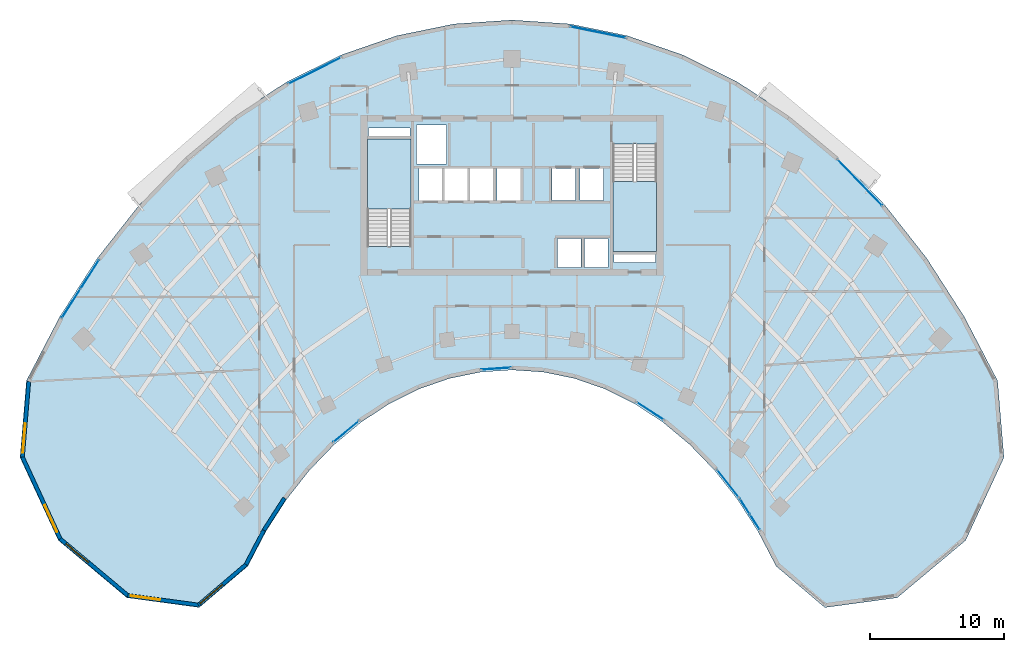
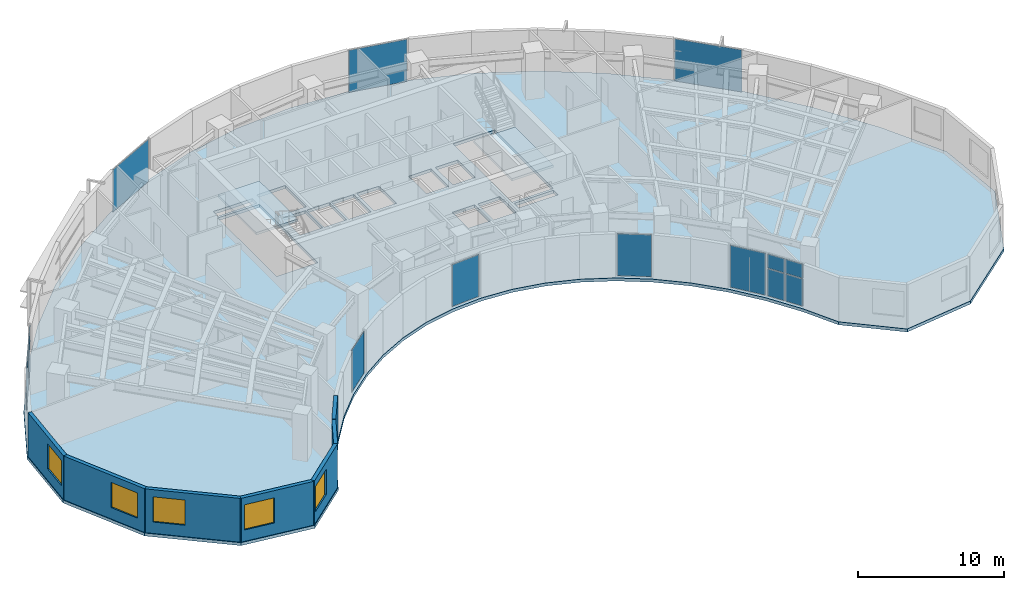
# One storey, part 7 of 14: 15 plates, 7 walls, 5 windows, 3 slabs, 5 openings, 11 elements without a shape of their own.
"""IFC4 building model written with IfcOpenShell, lengths in metres."""

from ifc_helpers import new_model, si_unit, direction, frame, frame_2d, origin, origin_2d, place, context, subcontext, project, spatial, polyline, rectangle, outline, extrude, source, transform, mapped, material, layer, layer_set, type_object, type_shapes, element, fill, aggregate, save


model = new_model("IFC4")

# Units and contexts
model_context = context("Model", 3, precision=1e-05, world=origin(), true_north=direction((0.0, 1.0)))
body_context = subcontext(model_context, "Body", "Model", "MODEL_VIEW")
ifc_project = project(units=[si_unit("LENGTHUNIT", "METRE"), si_unit("AREAUNIT", "SQUARE_METRE"), si_unit("VOLUMEUNIT", "CUBIC_METRE"), si_unit("PLANEANGLEUNIT", "RADIAN"), si_unit("MASSUNIT", "GRAM", prefix="KILO")], contexts=[model_context])

# Site, building, storey
site_placement = place(None, origin())
site = spatial("IfcSite", under=ifc_project, at=site_placement, CompositionType="ELEMENT")
building_placement = place(site_placement, origin())
building = spatial("IfcBuilding", under=site, at=building_placement, Name="Breltana Convention Tower", CompositionType="ELEMENT")
storey_placement = place(building_placement, frame((0.0, 0.0, 103.800048828125)))
storey = spatial("IfcBuildingStorey", under=building, at=storey_placement, Name="L24", CompositionType="ELEMENT", Elevation=103.800048828125)

# Slab
ifc_material_1 = material(Name="Concrete C40/50", Category="concrete")
ifc_layer_1 = layer(ifc_material_1, 0.25, Name="Concrete C40/50")
ifc_layer_set_1 = layer_set([ifc_layer_1], Name="Concrete C40/50")
slab_type_1 = type_object("IfcSlabType", Name="SL-OFF-250", PredefinedType="FLOOR", material=ifc_layer_set_1)
slab_1_placement = place(storey_placement, frame((0.0, 0.0, -0.25)))
element("IfcSlab", 1, at=slab_1_placement, inside=storey, type_object=slab_type_1, Name="L24 Suspended Structural Floor Slab", PredefinedType="FLOOR", context=body_context, shape_type="SweptSolid", body=[
    extrude(outline(polyline([(84.254150390625, 52.3564453125), (81.779052734375, 57.1103515625), (78.958251953125, 61.5048828125), (75.820556640625, 65.494873046875), (72.39794921875, 69.03955078125), (68.7255859375, 72.1025390625), (64.841064453125, 74.652587890625), (60.783935546875, 76.663818359375), (56.59619140625, 78.114990234375), (52.3203125, 78.99169921875), (48.0, 79.284912109375), (43.6796875, 78.99169921875), (39.40380859375, 78.114990234375), (35.216064453125, 76.663818359375), (31.158935546875, 74.652587890625), (27.2744140625, 72.1025390625), (23.60205078125, 69.03955078125), (20.179443359375, 65.494873046875), (17.041748046875, 61.5048828125), (14.220947265625, 57.1103515625), (11.745849609375, 52.3564453125), (11.266357421875, 46.619384765625), (14.128173828125, 40.42919921875), (19.23828125, 36.150146484375), (24.64501953125, 35.4169921875), (28.282958984375, 38.509521484375), (29.62890625, 41.09521484375), (31.1630859375, 43.485107421875), (32.869384765625, 45.655029296875), (34.73095703125, 47.5830078125), (36.728271484375, 49.248779296875), (38.8408203125, 50.6357421875), (41.04736328125, 51.7294921875), (43.324951171875, 52.518798828125), (45.650390625, 52.99560546875), (48.0, 53.155029296875), (50.349609375, 52.99560546875), (52.675048828125, 52.518798828125), (54.95263671875, 51.7294921875), (57.1591796875, 50.6357421875), (59.271728515625, 49.248779296875), (61.26904296875, 47.5830078125), (63.130615234375, 45.655029296875), (64.8369140625, 43.485107421875), (66.37109375, 41.09521484375), (67.717041015625, 38.509521484375), (71.35498046875, 35.4169921875), (76.76171875, 36.150146484375), (81.871826171875, 40.42919921875), (84.733642578125, 46.619384765625), (84.254150390625, 52.3564453125)]), holes=[polyline([(37.199951171875, 62.385009765625), (40.469970703125, 62.385009765625), (40.469970703125, 70.39990234375), (37.199951171875, 70.39990234375), (37.199951171875, 62.385009765625)]), polyline([(55.530029296875, 62.0), (58.800048828125, 62.0), (58.800048828125, 70.014892578125), (55.530029296875, 70.014892578125), (55.530029296875, 62.0)]), polyline([(51.39990234375, 60.800048828125), (53.159912109375, 60.800048828125), (53.159912109375, 62.97998046875), (51.39990234375, 62.97998046875), (51.39990234375, 60.800048828125)]), polyline([(53.39990234375, 60.800048828125), (55.159912109375, 60.800048828125), (55.159912109375, 62.97998046875), (53.39990234375, 62.97998046875), (53.39990234375, 60.800048828125)]), polyline([(41.0400390625, 65.820068359375), (42.800048828125, 65.820068359375), (42.800048828125, 68.179931640625), (41.0400390625, 68.179931640625), (41.0400390625, 65.820068359375)]), polyline([(42.93994140625, 65.820068359375), (44.699951171875, 65.820068359375), (44.699951171875, 68.179931640625), (42.93994140625, 68.179931640625), (42.93994140625, 65.820068359375)]), polyline([(44.8701171875, 65.820068359375), (46.6298828125, 65.820068359375), (46.6298828125, 68.179931640625), (44.8701171875, 68.179931640625), (44.8701171875, 65.820068359375)]), polyline([(46.8701171875, 65.820068359375), (48.6298828125, 65.820068359375), (48.6298828125, 68.179931640625), (46.8701171875, 68.179931640625), (46.8701171875, 65.820068359375)]), polyline([(50.969970703125, 65.800048828125), (52.72998046875, 65.800048828125), (52.72998046875, 68.179931640625), (50.969970703125, 68.179931640625), (50.969970703125, 65.800048828125)]), polyline([(53.070068359375, 65.800048828125), (54.830078125, 65.800048828125), (54.830078125, 68.179931640625), (53.070068359375, 68.179931640625), (53.070068359375, 65.800048828125)]), polyline([(40.8798828125, 68.550048828125), (43.1201171875, 68.550048828125), (43.1201171875, 71.449951171875), (40.8798828125, 71.449951171875), (40.8798828125, 68.550048828125)]), polyline([(37.300048828125, 70.60009765625), (40.3798828125, 70.60009765625), (40.3798828125, 71.219970703125), (37.300048828125, 71.219970703125), (37.300048828125, 70.60009765625)]), polyline([(55.6201171875, 61.179931640625), (58.699951171875, 61.179931640625), (58.699951171875, 61.800048828125), (55.6201171875, 61.800048828125), (55.6201171875, 61.179931640625)])]), origin(), (0.0, 0.0, 1.0), 0.25),
])

# Stair, slab
stair_type = type_object("IfcStairType", Name="ST-DOG-1560-R177", PredefinedType="HALF_TURN_STAIR", material=ifc_material_1)
stair_1_placement = place(storey_placement, origin())
stair_1 = element("IfcStair", 2, at=stair_1_placement, inside=storey, type_object=stair_type, Name="L24 Protected Core Exit Stair ST-1", PredefinedType="HALF_TURN_STAIR")
ifc_layer_2 = layer(ifc_material_1, 0.199951171875, Name="Concrete C40/50")
ifc_layer_set_2 = layer_set([ifc_layer_2], Name="Concrete C40/50")
slab_type_2 = type_object("IfcSlabType", Name="SL-STAIR-LANDING-200", PredefinedType="LANDING", material=ifc_layer_set_2)
slab_2_placement = place(storey_placement, frame((0.0, 0.0, 1.75)))
slab_2 = element("IfcSlab", 3, at=slab_2_placement, type_object=slab_type_2, Name="ST-1 landing 1", PredefinedType="LANDING", context=body_context, shape_type="SweptSolid", body=[
    extrude(outline(polyline([(40.469970703125, 65.159912109375), (40.469970703125, 70.39990234375), (37.199951171875, 70.39990234375), (37.199951171875, 65.159912109375), (40.469970703125, 65.159912109375)])), origin(), (0.0, 0.0, 1.0), 0.199951171875),
])
aggregate(stair_1, [slab_2])

stair_2_placement = place(storey_placement, origin())
stair_2 = element("IfcStair", 4, at=stair_2_placement, inside=storey, type_object=stair_type, Name="L24 Protected Core Exit Stair ST-2", PredefinedType="HALF_TURN_STAIR")
slab_3_placement = place(storey_placement, frame((0.0, 0.0, 1.75)))
slab_3 = element("IfcSlab", 5, at=slab_3_placement, type_object=slab_type_2, Name="ST-2 landing 1", PredefinedType="LANDING", context=body_context, shape_type="SweptSolid", body=[
    extrude(outline(polyline([(55.530029296875, 67.239990234375), (55.530029296875, 62.0), (58.800048828125, 62.0), (58.800048828125, 67.239990234375), (55.530029296875, 67.239990234375)])), origin(), (0.0, 0.0, 1.0), 0.199951171875),
])
aggregate(stair_2, [slab_3])

# Curtain wall, plates
ifc_material_2 = material(Name="Aluminium Anodised Bronze Frame", Category="aluminium")
ifc_layer_3 = layer(ifc_material_2, 0.18994140625, Name="Aluminium Anodised Bronze Frame")
ifc_layer_set_3 = layer_set([ifc_layer_3], Name="Aluminium Anodised Bronze Frame")
curtain_wall_type_1 = type_object("IfcCurtainWallType", Name="CW-SYS-1", PredefinedType="NOTDEFINED", material=ifc_layer_set_3)
curtain_wall_1_placement = place(storey_placement, origin())
curtain_wall_1 = element("IfcCurtainWall", 6, at=curtain_wall_1_placement, inside=storey, type_object=curtain_wall_type_1, Name="L24 inner south-court glazing 1", PredefinedType="NOTDEFINED")
ifc_material_3 = material(Name="Glass Low-E Double Glazing", Category="glass")
ifc_layer_4 = layer(ifc_material_3, 0.028076171875, Name="Glass Low-E Double Glazing")
ifc_layer_set_4 = layer_set([ifc_layer_4], Name="Glass Low-E Double Glazing")
plate_type_1 = type_object("IfcPlateType", Name="CWP-IGU-28", PredefinedType="CURTAIN_PANEL", material=ifc_layer_set_4)
shared_shape_1 = source(origin(), body_context, "Body", "SweptSolid", [
    extrude(rectangle(XDim=1.300048828125, YDim=0.028076171875, at=origin_2d()), origin(), (0.0, 0.0, 1.0), 2.25244140625),
])
plate_1_placement = place(storey_placement, frame((66.128173828125, 41.806640625, 0.080078125), z_axis=(0.0, 0.0, 1.0), x_axis=(-0.5401773017, 0.841551235949, 0.0)))
plate_1 = element("IfcPlate", 7, at=plate_1_placement, type_object=plate_type_1, Name="CW-01 panel 1.1", PredefinedType="CURTAIN_PANEL", context=body_context, shape_type="MappedRepresentation", body=[
    mapped(shared_shape_1, transform((0.0, 0.0, 0.0), scale=1.0)),
])
plate_2_placement = place(storey_placement, frame((65.3828125, 42.968017578125, 0.080078125), z_axis=(0.0, 0.0, 1.0), x_axis=(-0.5401773017, 0.841551235949, 0.0)))
plate_2 = element("IfcPlate", 8, at=plate_2_placement, type_object=plate_type_1, Name="CW-01 panel 2.1", PredefinedType="CURTAIN_PANEL", context=body_context, shape_type="MappedRepresentation", body=[
    mapped(shared_shape_1, transform((0.0, 0.0, 0.0), scale=1.0)),
])
shared_shape_2 = source(origin(), body_context, "Body", "SweptSolid", [
    extrude(rectangle(XDim=1.300048828125, YDim=0.028076171875, at=origin_2d()), origin(), (0.0, 0.0, 1.0), 1.157470703125),
])
plate_3_placement = place(storey_placement, frame((66.128173828125, 41.806640625, 2.41259765625), z_axis=(0.0, 0.0, 1.0), x_axis=(-0.5401773017, 0.841551235949, 0.0)))
plate_3 = element("IfcPlate", 9, at=plate_3_placement, type_object=plate_type_1, Name="CW-01 panel 1.2", PredefinedType="CURTAIN_PANEL", context=body_context, shape_type="MappedRepresentation", body=[
    mapped(shared_shape_2, transform((0.0, 0.0, 0.0), scale=1.0)),
])
plate_4_placement = place(storey_placement, frame((65.3828125, 42.968017578125, 2.41259765625), z_axis=(0.0, 0.0, 1.0), x_axis=(-0.5401773017, 0.841551235949, 0.0)))
plate_4 = element("IfcPlate", 10, at=plate_4_placement, type_object=plate_type_1, Name="CW-01 panel 2.2", PredefinedType="CURTAIN_PANEL", context=body_context, shape_type="MappedRepresentation", body=[
    mapped(shared_shape_2, transform((0.0, 0.0, 0.0), scale=1.0)),
])
aggregate(curtain_wall_1, [plate_1, plate_3, plate_2, plate_4])

# Curtain wall, plate
curtain_wall_2_placement = place(storey_placement, origin())
curtain_wall_2 = element("IfcCurtainWall", 11, at=curtain_wall_2_placement, inside=storey, type_object=curtain_wall_type_1, Name="L24 inner south-court glazing 2", PredefinedType="NOTDEFINED")
shared_shape_3 = source(origin(), body_context, "Body", "SweptSolid", [
    extrude(rectangle(XDim=2.6005859375, YDim=0.028076171875, at=origin_2d()), origin(), (0.0, 0.0, 1.0), 3.489990234375),
])
plate_5_placement = place(storey_placement, frame((64.125244140625, 44.681396484375, 0.080078125), z_axis=(0.0, 0.0, 1.0), x_axis=(-0.61815745037, 0.786054302547, 0.0)))
plate_5 = element("IfcPlate", 12, at=plate_5_placement, type_object=plate_type_1, Name="CW-01 panel 1.1", PredefinedType="CURTAIN_PANEL", context=body_context, shape_type="MappedRepresentation", body=[
    mapped(shared_shape_3, transform((0.0, 0.0, 0.0), scale=1.0)),
])
aggregate(curtain_wall_2, [plate_5])

curtain_wall_3_placement = place(storey_placement, origin())
curtain_wall_3 = element("IfcCurtainWall", 13, at=curtain_wall_3_placement, inside=storey, type_object=curtain_wall_type_1, Name="L24 inner south-court glazing 3", PredefinedType="NOTDEFINED")
shared_shape_4 = source(origin(), body_context, "Body", "SweptSolid", [
    extrude(rectangle(XDim=2.3671875, YDim=0.028076171875, at=origin_2d()), origin(), (0.0, 0.0, 1.0), 3.489990234375),
])
plate_6_placement = place(storey_placement, frame((58.314208984375, 50.0927734375, 0.080078125), z_axis=(0.0, 0.0, 1.0), x_axis=(-0.835967927261, 0.548778301858, 0.0)))
plate_6 = element("IfcPlate", 14, at=plate_6_placement, type_object=plate_type_1, Name="CW-01 panel 1.1", PredefinedType="CURTAIN_PANEL", context=body_context, shape_type="MappedRepresentation", body=[
    mapped(shared_shape_4, transform((0.0, 0.0, 0.0), scale=1.0)),
])
aggregate(curtain_wall_3, [plate_6])

curtain_wall_4_placement = place(storey_placement, origin())
curtain_wall_4 = element("IfcCurtainWall", 15, at=curtain_wall_4_placement, inside=storey, type_object=curtain_wall_type_1, Name="L24 inner south-court glazing 4", PredefinedType="NOTDEFINED")
shared_shape_5 = source(origin(), body_context, "Body", "SweptSolid", [
    extrude(rectangle(XDim=2.195068359375, YDim=0.028076171875, at=origin_2d()), origin(), (0.0, 0.0, 1.0), 3.489990234375),
])
plate_7_placement = place(storey_placement, frame((46.81298828125, 53.2548828125, 0.080078125), z_axis=(0.0, 0.0, 1.0), x_axis=(-0.997703821328, -0.067728021582, 0.0)))
plate_7 = element("IfcPlate", 16, at=plate_7_placement, type_object=plate_type_1, Name="CW-01 panel 1.1", PredefinedType="CURTAIN_PANEL", context=body_context, shape_type="MappedRepresentation", body=[
    mapped(shared_shape_5, transform((0.0, 0.0, 0.0), scale=1.0)),
])
aggregate(curtain_wall_4, [plate_7])

curtain_wall_5_placement = place(storey_placement, origin())
curtain_wall_5 = element("IfcCurtainWall", 17, at=curtain_wall_5_placement, inside=storey, type_object=curtain_wall_type_1, Name="L24 inner south-court glazing 5", PredefinedType="NOTDEFINED")
shared_shape_6 = source(origin(), body_context, "Body", "SweptSolid", [
    extrude(rectangle(XDim=2.44091796875, YDim=0.028076171875, at=origin_2d()), origin(), (0.0, 0.0, 1.0), 3.489990234375),
])
plate_8_placement = place(storey_placement, frame((35.6142578125, 48.553955078125, 0.080078125), z_axis=(0.0, 0.0, 1.0), x_axis=(-0.76794071768, -0.640520924036, 0.0)))
plate_8 = element("IfcPlate", 18, at=plate_8_placement, type_object=plate_type_1, Name="CW-01 panel 1.1", PredefinedType="CURTAIN_PANEL", context=body_context, shape_type="MappedRepresentation", body=[
    mapped(shared_shape_6, transform((0.0, 0.0, 0.0), scale=1.0)),
])
aggregate(curtain_wall_5, [plate_8])

# Curtain wall, plates
ifc_layer_5 = layer(ifc_material_2, 0.22998046875, Name="Aluminium Anodised Bronze Frame")
ifc_layer_set_5 = layer_set([ifc_layer_5], Name="Aluminium Anodised Bronze Frame")
curtain_wall_type_2 = type_object("IfcCurtainWallType", Name="CW-SYS-5", PredefinedType="NOTDEFINED", material=ifc_layer_set_5)
curtain_wall_6_placement = place(storey_placement, origin())
curtain_wall_6 = element("IfcCurtainWall", 19, at=curtain_wall_6_placement, inside=storey, type_object=curtain_wall_type_2, Name="L24 outer double-skin inner glazing 1", PredefinedType="NOTDEFINED")
ifc_layer_6 = layer(ifc_material_3, 0.035888671875, Name="Glass Low-E Double Glazing")
ifc_layer_set_6 = layer_set([ifc_layer_6], Name="Glass Low-E Double Glazing")
plate_type_2 = type_object("IfcPlateType", Name="CWP-IGU-36", PredefinedType="CURTAIN_PANEL", material=ifc_layer_set_6)
shared_shape_7 = source(origin(), body_context, "Body", "SweptSolid", [
    extrude(rectangle(XDim=2.49755859375, YDim=0.035888671875, at=origin_2d()), origin(), (0.0, 0.0, 1.0), 2.267578125),
])
plate_9_placement = place(storey_placement, frame((15.089111328125, 58.1298828125, 0.06982421875), z_axis=(0.0, 0.0, 1.0), x_axis=(0.540176809834, 0.84155155167, 0.0)))
plate_9 = element("IfcPlate", 20, at=plate_9_placement, type_object=plate_type_2, Name="CW-05 panel 1.1", PredefinedType="CURTAIN_PANEL", context=body_context, shape_type="MappedRepresentation", body=[
    mapped(shared_shape_7, transform((0.0, 0.0, 0.0), scale=1.0)),
])
plate_10_placement = place(storey_placement, frame((16.47607421875, 60.29052734375, 0.06982421875), z_axis=(0.0, 0.0, 1.0), x_axis=(0.540176809834, 0.84155155167, 0.0)))
plate_10 = element("IfcPlate", 21, at=plate_10_placement, type_object=plate_type_2, Name="CW-05 panel 2.1", PredefinedType="CURTAIN_PANEL", context=body_context, shape_type="MappedRepresentation", body=[
    mapped(shared_shape_7, transform((0.0, 0.0, 0.0), scale=1.0)),
])
shared_shape_8 = source(origin(), body_context, "Body", "SweptSolid", [
    extrude(rectangle(XDim=2.49755859375, YDim=0.035888671875, at=origin_2d()), origin(), (0.0, 0.0, 1.0), 1.172607421875),
])
plate_11_placement = place(storey_placement, frame((15.089111328125, 58.1298828125, 2.4072265625), z_axis=(0.0, 0.0, 1.0), x_axis=(0.540176809834, 0.84155155167, 0.0)))
plate_11 = element("IfcPlate", 22, at=plate_11_placement, type_object=plate_type_2, Name="CW-05 panel 1.2", PredefinedType="CURTAIN_PANEL", context=body_context, shape_type="MappedRepresentation", body=[
    mapped(shared_shape_8, transform((0.0, 0.0, 0.0), scale=1.0)),
])
plate_12_placement = place(storey_placement, frame((16.47607421875, 60.29052734375, 2.4072265625), z_axis=(0.0, 0.0, 1.0), x_axis=(0.540176809834, 0.84155155167, 0.0)))
plate_12 = element("IfcPlate", 23, at=plate_12_placement, type_object=plate_type_2, Name="CW-05 panel 2.2", PredefinedType="CURTAIN_PANEL", context=body_context, shape_type="MappedRepresentation", body=[
    mapped(shared_shape_8, transform((0.0, 0.0, 0.0), scale=1.0)),
])
aggregate(curtain_wall_6, [plate_9, plate_11, plate_10, plate_12])

# Curtain wall, plate
curtain_wall_7_placement = place(storey_placement, origin())
curtain_wall_7 = element("IfcCurtainWall", 24, at=curtain_wall_7_placement, inside=storey, type_object=curtain_wall_type_2, Name="L24 outer double-skin inner glazing 2", PredefinedType="NOTDEFINED")
shared_shape_9 = source(origin(), body_context, "Body", "SweptSolid", [
    extrude(rectangle(XDim=4.36572265625, YDim=0.035888671875, at=origin_2d()), origin(), (0.0, 0.0, 1.0), 3.510009765625),
])
plate_13_placement = place(storey_placement, frame((33.26708984375, 75.496826171875, 0.06982421875), z_axis=(0.0, 0.0, 1.0), x_axis=(0.895966548937, 0.444121541007, 0.0)))
plate_13 = element("IfcPlate", 25, at=plate_13_placement, type_object=plate_type_2, Name="CW-05 panel 1.1", PredefinedType="CURTAIN_PANEL", context=body_context, shape_type="MappedRepresentation", body=[
    mapped(shared_shape_9, transform((0.0, 0.0, 0.0), scale=1.0)),
])
aggregate(curtain_wall_7, [plate_13])

curtain_wall_8_placement = place(storey_placement, origin())
curtain_wall_8 = element("IfcCurtainWall", 26, at=curtain_wall_8_placement, inside=storey, type_object=curtain_wall_type_2, Name="L24 outer double-skin inner glazing 3", PredefinedType="NOTDEFINED")
shared_shape_10 = source(origin(), body_context, "Body", "SweptSolid", [
    extrude(rectangle(XDim=4.200927734375, YDim=0.035888671875, at=origin_2d()), origin(), (0.0, 0.0, 1.0), 3.510009765625),
])
plate_14_placement = place(storey_placement, frame((54.422119140625, 78.376953125, 0.06982421875), z_axis=(0.0, 0.0, 1.0), x_axis=(0.979620254346, -0.200858550415, 0.0)))
plate_14 = element("IfcPlate", 27, at=plate_14_placement, type_object=plate_type_2, Name="CW-05 panel 1.1", PredefinedType="CURTAIN_PANEL", context=body_context, shape_type="MappedRepresentation", body=[
    mapped(shared_shape_10, transform((0.0, 0.0, 0.0), scale=1.0)),
])
aggregate(curtain_wall_8, [plate_14])

curtain_wall_9_placement = place(storey_placement, origin())
curtain_wall_9 = element("IfcCurtainWall", 28, at=curtain_wall_9_placement, inside=storey, type_object=curtain_wall_type_2, Name="L24 outer double-skin inner glazing 4", PredefinedType="NOTDEFINED")
shared_shape_11 = source(origin(), body_context, "Body", "SweptSolid", [
    extrude(rectangle(XDim=4.7685546875, YDim=0.035888671875, at=origin_2d()), origin(), (0.0, 0.0, 1.0), 3.510009765625),
])
plate_15_placement = place(storey_placement, frame((73.97998046875, 67.141845703125, 0.06982421875), z_axis=(0.0, 0.0, 1.0), x_axis=(0.694611601605, -0.719384961558, 0.0)))
plate_15 = element("IfcPlate", 29, at=plate_15_placement, type_object=plate_type_2, Name="CW-05 panel 1.1", PredefinedType="CURTAIN_PANEL", context=body_context, shape_type="MappedRepresentation", body=[
    mapped(shared_shape_11, transform((0.0, 0.0, 0.0), scale=1.0)),
])
aggregate(curtain_wall_9, [plate_15])

# Wall, opening, window
ifc_material_4 = material(Name="Limestone Buff Insulated Wall", Category="masonry")
ifc_layer_7 = layer(ifc_material_4, 0.280029296875, Name="Limestone Buff Insulated Wall")
ifc_layer_set_7 = layer_set([ifc_layer_7], Name="Limestone Buff Insulated Wall")
wall_type = type_object("IfcWallType", Name="WL-EXT-NOSE-280", PredefinedType="SOLIDWALL", material=ifc_layer_set_7)
shared_shape_12 = source(origin(), body_context, "Body", "SweptSolid", [
    extrude(rectangle(XDim=5.673583984375, YDim=0.280029296875, at=frame_2d((2.8369140625, 0.0))), origin(), (0.0, 0.0, 1.0), 3.64990234375),
])
wall_1_placement = place(storey_placement, frame((11.44970703125, 46.651611328125, 0.0), z_axis=(0.0, 0.0, 1.0), x_axis=(0.083309007867, 0.996523762491, 0.0)))
wall_1 = element("IfcWall", 30, at=wall_1_placement, inside=storey, type_object=wall_type, Name="L24 curved limestone nose wall W6", PredefinedType="SOLIDWALL", context=body_context, shape_type="MappedRepresentation", body=[
    mapped(shared_shape_12, transform((0.0, 0.0, 0.0), scale=1.0)),
])
opening_1_placement = place(wall_1_placement, frame((0.318359375, 0.0, 0.949951171875)))
opening_1 = element("IfcOpeningElement", 31, at=opening_1_placement, cuts=wall_1, Name="Opening W-03", PredefinedType="OPENING", context=body_context, shape_type="SweptSolid", body=[
    extrude(rectangle(XDim=2.199951171875, YDim=2.10009765625, at=frame_2d((1.10009765625, 1.050048828125))), frame((0.0, 0.14990234375, 0.0), z_axis=(0.0, -1.0, 0.0), x_axis=(1.0, 0.0, 0.0)), (0.0, 0.0, 1.0), 0.300048828125),
])
ifc_material_5 = material(Name="Glass Low-E Insulated Window", Category="glass")
window_type = type_object("IfcWindowType", Name="WN-NOSE-2200X2100", PartitioningType="TRIPLE_PANEL_VERTICAL", PredefinedType="WINDOW", material=ifc_material_5)
shared_shape_13 = source(origin(), body_context, "Body", "SweptSolid", [
    extrude(rectangle(XDim=2.199951171875, YDim=2.10009765625, at=frame_2d((1.10009765625, 1.050048828125))), frame((0.0, 0.030029296875, 0.0), z_axis=(0.0, -1.0, 0.0), x_axis=(1.0, 0.0, 0.0)), (0.0, 0.0, 1.0), 0.06005859375),
])
type_shapes(window_type, [shared_shape_13])
window_1_placement = place(opening_1_placement, origin())
window_1 = element("IfcWindow", 32, at=window_1_placement, inside=storey, type_object=window_type, Name="L24 nose window W6", OverallHeight=2.10009765625, OverallWidth=2.199951171875, PartitioningType="TRIPLE_PANEL_VERTICAL", PredefinedType="WINDOW", context=body_context, shape_type="MappedRepresentation", body=[
    mapped(shared_shape_13, transform((0.0, 0.0, 0.0), scale=1.0)),
])
fill(opening_1, window_1)

shared_shape_14 = source(origin(), body_context, "Body", "SweptSolid", [
    extrude(rectangle(XDim=6.731689453125, YDim=0.280029296875, at=frame_2d((3.36572265625, 0.0))), origin(), (0.0, 0.0, 1.0), 3.64990234375),
])
wall_2_placement = place(storey_placement, frame((14.274658203125, 40.541259765625, 0.0), z_axis=(0.0, 0.0, 1.0), x_axis=(-0.419644552709, 0.907688520023, 0.0)))
wall_2 = element("IfcWall", 33, at=wall_2_placement, inside=storey, type_object=wall_type, Name="L24 curved limestone nose wall W5", PredefinedType="SOLIDWALL", context=body_context, shape_type="MappedRepresentation", body=[
    mapped(shared_shape_14, transform((0.0, 0.0, 0.0), scale=1.0)),
])
opening_2_placement = place(wall_2_placement, frame((0.5830078125, 0.0, 0.949951171875)))
opening_2 = element("IfcOpeningElement", 34, at=opening_2_placement, cuts=wall_2, Name="Opening W-03", PredefinedType="OPENING", context=body_context, shape_type="SweptSolid", body=[
    extrude(rectangle(XDim=2.199951171875, YDim=2.10009765625, at=frame_2d((1.10009765625, 1.050048828125))), frame((0.0, 0.14990234375, 0.0), z_axis=(0.0, -1.0, 0.0), x_axis=(1.0, 0.0, 0.0)), (0.0, 0.0, 1.0), 0.300048828125),
])
window_2_placement = place(opening_2_placement, origin())
window_2 = element("IfcWindow", 35, at=window_2_placement, inside=storey, type_object=window_type, Name="L24 nose window W5", OverallHeight=2.10009765625, OverallWidth=2.199951171875, PartitioningType="TRIPLE_PANEL_VERTICAL", PredefinedType="WINDOW", context=body_context, shape_type="MappedRepresentation", body=[
    mapped(shared_shape_13, transform((0.0, 0.0, 0.0), scale=1.0)),
])
fill(opening_2, window_2)

shared_shape_15 = source(origin(), body_context, "Body", "SweptSolid", [
    extrude(rectangle(XDim=6.572998046875, YDim=0.280029296875, at=frame_2d((3.28662109375, 0.0))), origin(), (0.0, 0.0, 1.0), 3.64990234375),
])
wall_3_placement = place(storey_placement, frame((19.314208984375, 36.321533203125, 0.0), z_axis=(0.0, 0.0, 1.0), x_axis=(-0.766715154163, 0.641987439423, 0.0)))
wall_3 = element("IfcWall", 36, at=wall_3_placement, inside=storey, type_object=wall_type, Name="L24 curved limestone nose wall W4", PredefinedType="SOLIDWALL", context=body_context, shape_type="MappedRepresentation", body=[
    mapped(shared_shape_15, transform((0.0, 0.0, 0.0), scale=1.0)),
])
opening_3_placement = place(wall_3_placement, frame((3.82958984375, 0.0, 0.949951171875)))
opening_3 = element("IfcOpeningElement", 37, at=opening_3_placement, cuts=wall_3, Name="Opening W-03", PredefinedType="OPENING", context=body_context, shape_type="SweptSolid", body=[
    extrude(rectangle(XDim=2.199951171875, YDim=2.10009765625, at=frame_2d((1.10009765625, 1.050048828125))), frame((0.0, 0.14990234375, 0.0), z_axis=(0.0, -1.0, 0.0), x_axis=(1.0, 0.0, 0.0)), (0.0, 0.0, 1.0), 0.300048828125),
])
window_3_placement = place(opening_3_placement, origin())
window_3 = element("IfcWindow", 38, at=window_3_placement, inside=storey, type_object=window_type, Name="L24 nose window W4", OverallHeight=2.10009765625, OverallWidth=2.199951171875, PartitioningType="TRIPLE_PANEL_VERTICAL", PredefinedType="WINDOW", context=body_context, shape_type="MappedRepresentation", body=[
    mapped(shared_shape_13, transform((0.0, 0.0, 0.0), scale=1.0)),
])
fill(opening_3, window_3)

shared_shape_16 = source(origin(), body_context, "Body", "SweptSolid", [
    extrude(rectangle(XDim=5.32373046875, YDim=0.280029296875, at=frame_2d((2.661865234375, 0.0))), origin(), (0.0, 0.0, 1.0), 3.64990234375),
])
wall_4_placement = place(storey_placement, frame((24.589599609375, 35.606201171875, 0.0), z_axis=(0.0, 0.0, 1.0), x_axis=(-0.990931467223, 0.134368252451, 0.0)))
wall_4 = element("IfcWall", 39, at=wall_4_placement, inside=storey, type_object=wall_type, Name="L24 curved limestone nose wall W3", PredefinedType="SOLIDWALL", context=body_context, shape_type="MappedRepresentation", body=[
    mapped(shared_shape_16, transform((0.0, 0.0, 0.0), scale=1.0)),
])
opening_4_placement = place(wall_4_placement, frame((2.892822265625, 0.0, 0.949951171875)))
opening_4 = element("IfcOpeningElement", 40, at=opening_4_placement, cuts=wall_4, Name="Opening W-03", PredefinedType="OPENING", context=body_context, shape_type="SweptSolid", body=[
    extrude(rectangle(XDim=2.199951171875, YDim=2.10009765625, at=frame_2d((1.10009765625, 1.050048828125))), frame((0.0, 0.14990234375, 0.0), z_axis=(0.0, -1.0, 0.0), x_axis=(1.0, 0.0, 0.0)), (0.0, 0.0, 1.0), 0.300048828125),
])
window_4_placement = place(opening_4_placement, origin())
window_4 = element("IfcWindow", 41, at=window_4_placement, inside=storey, type_object=window_type, Name="L24 nose window W3", OverallHeight=2.10009765625, OverallWidth=2.199951171875, PartitioningType="TRIPLE_PANEL_VERTICAL", PredefinedType="WINDOW", context=body_context, shape_type="MappedRepresentation", body=[
    mapped(shared_shape_13, transform((0.0, 0.0, 0.0), scale=1.0)),
])
fill(opening_4, window_4)

shared_shape_17 = source(origin(), body_context, "Body", "SweptSolid", [
    extrude(rectangle(XDim=4.6591796875, YDim=0.280029296875, at=frame_2d((2.32958984375, 0.0))), origin(), (0.0, 0.0, 1.0), 3.64990234375),
])
wall_5_placement = place(storey_placement, frame((28.139404296875, 38.623779296875, 0.0), z_axis=(0.0, 0.0, 1.0), x_axis=(-0.761913458795, -0.647678841176, 0.0)))
wall_5 = element("IfcWall", 42, at=wall_5_placement, inside=storey, type_object=wall_type, Name="L24 curved limestone nose wall W2", PredefinedType="SOLIDWALL", context=body_context, shape_type="MappedRepresentation", body=[
    mapped(shared_shape_17, transform((0.0, 0.0, 0.0), scale=1.0)),
])
opening_5_placement = place(wall_5_placement, frame((2.29931640625, 0.0, 0.949951171875)))
opening_5 = element("IfcOpeningElement", 43, at=opening_5_placement, cuts=wall_5, Name="Opening W-03", PredefinedType="OPENING", context=body_context, shape_type="SweptSolid", body=[
    extrude(rectangle(XDim=2.199951171875, YDim=2.10009765625, at=frame_2d((1.10009765625, 1.050048828125))), frame((0.0, 0.14990234375, 0.0), z_axis=(0.0, -1.0, 0.0), x_axis=(1.0, 0.0, 0.0)), (0.0, 0.0, 1.0), 0.300048828125),
])
window_5_placement = place(opening_5_placement, origin())
window_5 = element("IfcWindow", 44, at=window_5_placement, inside=storey, type_object=window_type, Name="L24 nose window W2", OverallHeight=2.10009765625, OverallWidth=2.199951171875, PartitioningType="TRIPLE_PANEL_VERTICAL", PredefinedType="WINDOW", context=body_context, shape_type="MappedRepresentation", body=[
    mapped(shared_shape_13, transform((0.0, 0.0, 0.0), scale=1.0)),
])
fill(opening_5, window_5)

# Walls
shared_shape_18 = source(origin(), body_context, "Body", "SweptSolid", [
    extrude(rectangle(XDim=2.8798828125, YDim=0.280029296875, at=frame_2d((1.43994140625, 0.0))), origin(), (0.0, 0.0, 1.0), 3.64990234375),
])
wall_6_placement = place(storey_placement, frame((29.46923828125, 41.17822265625, 0.0), z_axis=(0.0, 0.0, 1.0), x_axis=(-0.461769086658, -0.887000175088, 0.0)))
element("IfcWall", 45, at=wall_6_placement, inside=storey, type_object=wall_type, Name="L24 curved limestone nose wall W1", PredefinedType="SOLIDWALL", context=body_context, shape_type="MappedRepresentation", body=[
    mapped(shared_shape_18, transform((0.0, 0.0, 0.0), scale=1.0)),
])
shared_shape_19 = source(origin(), body_context, "Body", "SweptSolid", [
    extrude(rectangle(XDim=2.83984375, YDim=0.280029296875, at=frame_2d((1.419921875, 0.0))), origin(), (0.0, 0.0, 1.0), 3.64990234375),
])
wall_7_placement = place(storey_placement, frame((31.011474609375, 43.582275390625, 0.0), z_axis=(0.0, 0.0, 1.0), x_axis=(-0.540214368057, -0.841527442538, 0.0)))
element("IfcWall", 46, at=wall_7_placement, inside=storey, type_object=wall_type, Name="L24 curved limestone nose wall E19", PredefinedType="SOLIDWALL", context=body_context, shape_type="MappedRepresentation", body=[
    mapped(shared_shape_19, transform((0.0, 0.0, 0.0), scale=1.0)),
])

save(model, "model.ifc")
